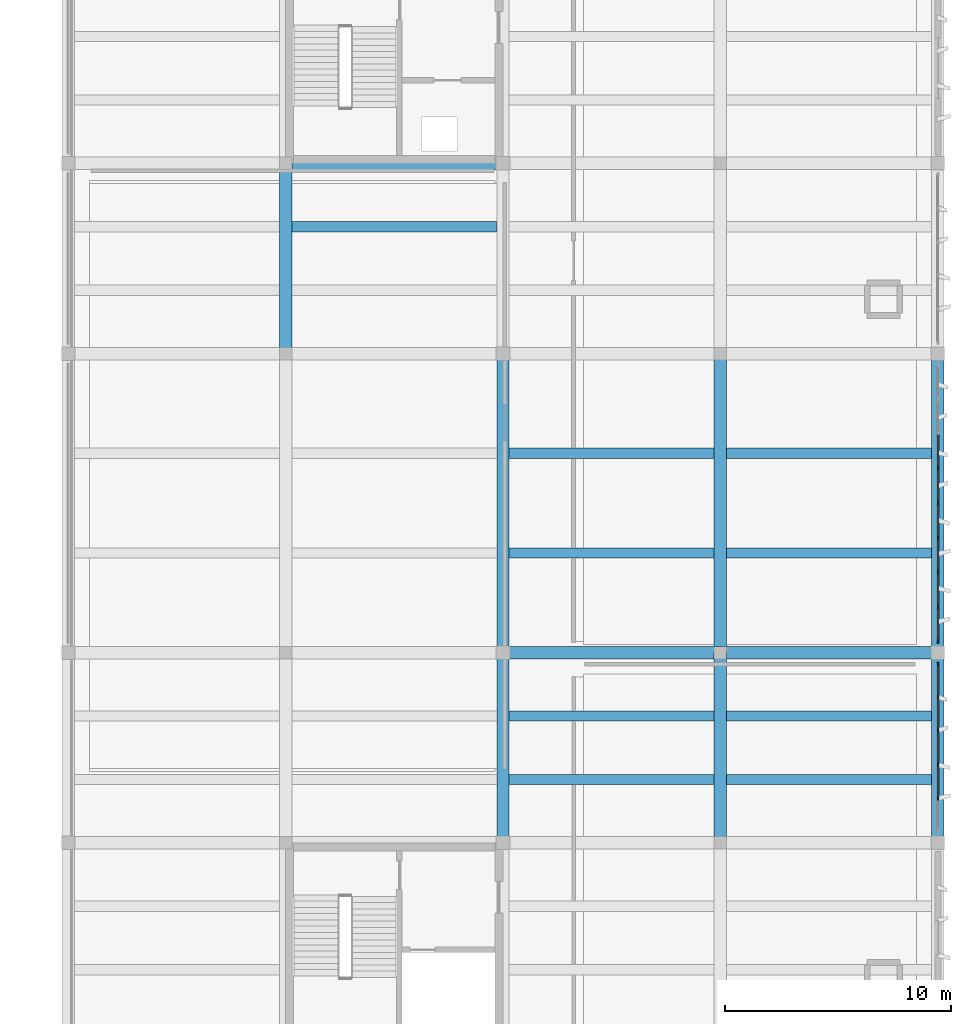
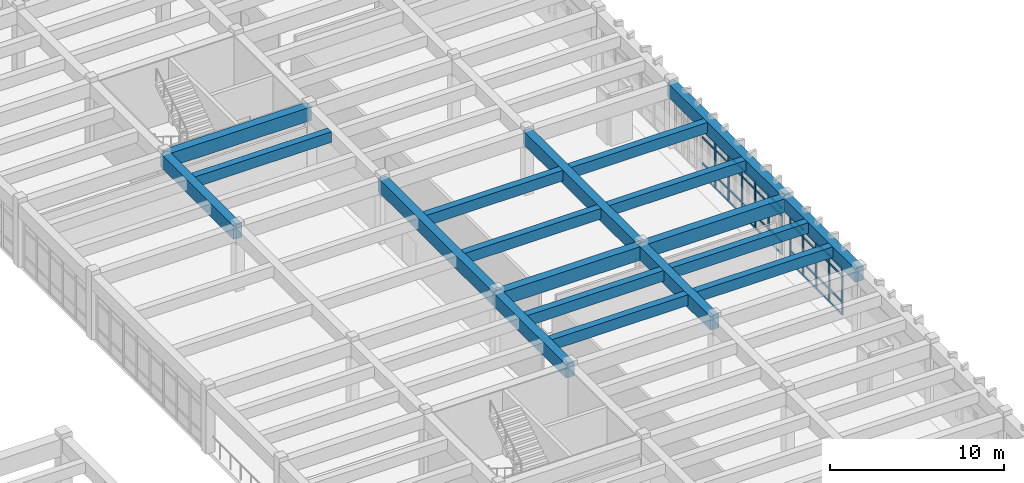
# One storey, part 37 of 86: 51 members, 19 beams, 2 elements without a shape of their own.
"""IFC4 building model written with IfcOpenShell, lengths in metres."""

from ifc_helpers import new_model, si_unit, direction, frame, origin, origin_2d, place, context, subcontext, project, spatial, rectangle, extrude, material, layer, layer_set, material_profile, profile_set, type_object, element, aggregate, save


model = new_model("IFC4")

# Units and contexts
model_context = context("Model", 3, precision=1e-05, world=origin(), true_north=direction((0.0, 1.0)))
body_context = subcontext(model_context, "Body", "Model", "MODEL_VIEW")
ifc_project = project(units=[si_unit("LENGTHUNIT", "METRE"), si_unit("AREAUNIT", "SQUARE_METRE"), si_unit("VOLUMEUNIT", "CUBIC_METRE"), si_unit("PLANEANGLEUNIT", "RADIAN"), si_unit("MASSUNIT", "GRAM", prefix="KILO")], contexts=[model_context])

# Site, building, storey
site_placement = place(None, origin())
site = spatial("IfcSite", under=ifc_project, at=site_placement, CompositionType="ELEMENT")
building_placement = place(site_placement, origin())
building = spatial("IfcBuilding", under=site, at=building_placement, Name="Kolvemor Railside Polytechnic", CompositionType="ELEMENT")
storey_placement = place(building_placement, frame((0.0, 0.0, 5.39990234375)))
storey = spatial("IfcBuildingStorey", under=building, at=storey_placement, Name="L01", CompositionType="ELEMENT", Elevation=5.39990234375)

# Beams
ifc_material_1 = material(Name="Concrete C40/50", Category="concrete")
ifc_material_profile_1 = material_profile(ifc_material_1, rectangle(XDim=0.550048828125, YDim=0.949951171875, at=origin_2d()), Name="RC550x950")
ifc_profile_set_1 = profile_set([ifc_material_profile_1], Name="Concrete C40/50")
beam_type_1 = type_object("IfcBeamType", Name="BM-RC-GIRD", PredefinedType="BEAM", material=ifc_profile_set_1)
beam_1_placement = place(storey_placement, frame((163.199951171875, 38.39990234375, 4.005126953125), z_axis=(1.0, 0.0, 0.0), x_axis=(0.0, 1.0, 0.0)))
element("IfcBeam", 1, at=beam_1_placement, inside=storey, type_object=beam_type_1, Name="Primary Girder L02-GX 0913", PredefinedType="BEAM", context=body_context, shape_type="SweptSolid", body=[
    extrude(rectangle(XDim=0.550048828125, YDim=0.949951171875, at=origin_2d()), origin(), (0.0, 0.0, 1.0), 9.60009765625),
])
for number, where, z_axis, x_axis, name in (
    (2, (172.800048828125, 38.39990234375, 4.005126953125), (1.0, 0.0, 0.0), (0.0, 1.0, 0.0), "Primary Girder L02-GX 0914"),
    (3, (153.60009765625, 60.0, 4.005126953125), (1.0, 0.0, 0.0), (0.0, 1.0, 0.0), "Primary Girder L02-GX 0920"),
):
    element("IfcBeam", number, at=place(storey_placement, frame(where, z_axis=z_axis, x_axis=x_axis)), inside=storey, type_object=beam_type_1, Name=name, PredefinedType="BEAM", context=body_context, shape_type="SweptSolid", body=[
        extrude(rectangle(XDim=0.550048828125, YDim=0.949951171875, at=origin_2d()), origin(), (0.0, 0.0, 1.0), 9.599853515625),
    ])
for number, where, z_axis, x_axis, name in (
    (4, (153.60009765625, 51.60009765625, 4.005126953125), (0.0, 1.0, 0.0), (-1.0, 0.0, 0.0), "Primary Girder L02-GY 0949"),
    (5, (163.199951171875, 30.0, 4.005126953125), (0.0, 1.0, 0.0), (-1.0, 0.0, 0.0), "Primary Girder L02-GY 0956"),
):
    element("IfcBeam", number, at=place(storey_placement, frame(where, z_axis=z_axis, x_axis=x_axis)), inside=storey, type_object=beam_type_1, Name=name, PredefinedType="BEAM", context=body_context, shape_type="SweptSolid", body=[
        extrude(rectangle(XDim=0.550048828125, YDim=0.949951171875, at=origin_2d()), origin(), (0.0, 0.0, 1.0), 8.39990234375),
    ])
beam_2_placement = place(storey_placement, frame((163.199951171875, 38.39990234375, 4.005126953125), z_axis=(0.0, 1.0, 0.0), x_axis=(-1.0, 0.0, 0.0)))
element("IfcBeam", 6, at=beam_2_placement, inside=storey, type_object=beam_type_1, Name="Primary Girder L02-GY 0957", PredefinedType="BEAM", context=body_context, shape_type="SweptSolid", body=[
    extrude(rectangle(XDim=0.550048828125, YDim=0.949951171875, at=origin_2d()), origin(), (0.0, 0.0, 1.0), 13.2001953125),
])
beam_3_placement = place(storey_placement, frame((172.800048828125, 30.0, 4.005126953125), z_axis=(0.0, 1.0, 0.0), x_axis=(-1.0, 0.0, 0.0)))
element("IfcBeam", 7, at=beam_3_placement, inside=storey, type_object=beam_type_1, Name="Primary Girder L02-GY 0965", PredefinedType="BEAM", context=body_context, shape_type="SweptSolid", body=[
    extrude(rectangle(XDim=0.550048828125, YDim=0.949951171875, at=origin_2d()), origin(), (0.0, 0.0, 1.0), 8.39990234375),
])
beam_4_placement = place(storey_placement, frame((172.800048828125, 38.39990234375, 4.005126953125), z_axis=(0.0, 1.0, 0.0), x_axis=(-1.0, 0.0, 0.0)))
element("IfcBeam", 8, at=beam_4_placement, inside=storey, type_object=beam_type_1, Name="Primary Girder L02-GY 0966", PredefinedType="BEAM", context=body_context, shape_type="SweptSolid", body=[
    extrude(rectangle(XDim=0.550048828125, YDim=0.949951171875, at=origin_2d()), origin(), (0.0, 0.0, 1.0), 13.2001953125),
])
beam_5_placement = place(storey_placement, frame((182.39990234375, 30.0, 4.005126953125), z_axis=(0.0, 1.0, 0.0), x_axis=(-1.0, 0.0, 0.0)))
element("IfcBeam", 9, at=beam_5_placement, inside=storey, type_object=beam_type_1, Name="Primary Girder L02-GY 0974", PredefinedType="BEAM", context=body_context, shape_type="SweptSolid", body=[
    extrude(rectangle(XDim=0.550048828125, YDim=0.949951171875, at=origin_2d()), origin(), (0.0, 0.0, 1.0), 8.39990234375),
])
beam_6_placement = place(storey_placement, frame((182.39990234375, 38.39990234375, 4.005126953125), z_axis=(0.0, 1.0, 0.0), x_axis=(-1.0, 0.0, 0.0)))
element("IfcBeam", 10, at=beam_6_placement, inside=storey, type_object=beam_type_1, Name="Primary Girder L02-GY 0975", PredefinedType="BEAM", context=body_context, shape_type="SweptSolid", body=[
    extrude(rectangle(XDim=0.550048828125, YDim=0.949951171875, at=origin_2d()), origin(), (0.0, 0.0, 1.0), 13.2001953125),
])
ifc_material_2 = material(Name="Concrete C40/50", Category="concrete")
ifc_material_profile_2 = material_profile(ifc_material_2, rectangle(XDim=0.449951171875, YDim=0.75, at=origin_2d()), Name="RC450x750")
ifc_profile_set_2 = profile_set([ifc_material_profile_2], Name="Concrete C40/50")
beam_type_2 = type_object("IfcBeamType", Name="BM-RC-SEC", PredefinedType="JOIST", material=ifc_profile_set_2)
beam_7_placement = place(storey_placement, frame((153.875, 57.199951171875, 4.10498046875), z_axis=(1.0, 0.0, 0.0), x_axis=(0.0, 1.0, 0.0)))
element("IfcBeam", 11, at=beam_7_placement, inside=storey, type_object=beam_type_2, Name="Floor Joist L02-J1007", PredefinedType="JOIST", context=body_context, shape_type="SweptSolid", body=[
    extrude(rectangle(XDim=0.449951171875, YDim=0.75, at=origin_2d()), origin(), (0.0, 0.0, 1.0), 9.050048828125),
])
for number, where, z_axis, x_axis, name in (
    (12, (163.47509765625, 32.800048828125, 4.10498046875), (1.0, 0.0, 0.0), (0.0, 1.0, 0.0), "Floor Joist L02-J1018"),
    (13, (163.47509765625, 35.60009765625, 4.10498046875), (1.0, 0.0, 0.0), (0.0, 1.0, 0.0), "Floor Joist L02-J1019"),
    (14, (163.47509765625, 42.800048828125, 4.10498046875), (1.0, 0.0, 0.0), (0.0, 1.0, 0.0), "Floor Joist L02-J1020"),
    (15, (163.47509765625, 47.199951171875, 4.10498046875), (1.0, 0.0, 0.0), (0.0, 1.0, 0.0), "Floor Joist L02-J1021"),
):
    element("IfcBeam", number, at=place(storey_placement, frame(where, z_axis=z_axis, x_axis=x_axis)), inside=storey, type_object=beam_type_2, Name=name, PredefinedType="JOIST", context=body_context, shape_type="SweptSolid", body=[
        extrude(rectangle(XDim=0.449951171875, YDim=0.75, at=origin_2d()), origin(), (0.0, 0.0, 1.0), 9.0498046875),
    ])
for number, where, z_axis, x_axis, name in (
    (16, (173.074951171875, 32.800048828125, 4.10498046875), (1.0, 0.0, 0.0), (0.0, 1.0, 0.0), "Floor Joist L02-J1036"),
    (17, (173.074951171875, 35.60009765625, 4.10498046875), (1.0, 0.0, 0.0), (0.0, 1.0, 0.0), "Floor Joist L02-J1037"),
    (18, (173.074951171875, 42.800048828125, 4.10498046875), (1.0, 0.0, 0.0), (0.0, 1.0, 0.0), "Floor Joist L02-J1038"),
    (19, (173.074951171875, 47.199951171875, 4.10498046875), (1.0, 0.0, 0.0), (0.0, 1.0, 0.0), "Floor Joist L02-J1039"),
):
    element("IfcBeam", number, at=place(storey_placement, frame(where, z_axis=z_axis, x_axis=x_axis)), inside=storey, type_object=beam_type_2, Name=name, PredefinedType="JOIST", context=body_context, shape_type="SweptSolid", body=[
        extrude(rectangle(XDim=0.449951171875, YDim=0.75, at=origin_2d()), origin(), (0.0, 0.0, 1.0), 9.050048828125),
    ])

# Curtain wall, members
ifc_material_3 = material(Name="Anodised marine aluminium and laminated low-E glass", Category="aluminium")
ifc_layer = layer(ifc_material_3, 0.179931640625, Name="CW-UNIT-STD")
ifc_layer_set = layer_set([ifc_layer], Name="Anodised marine aluminium and laminated low-E glass")
curtain_wall_type = type_object("IfcCurtainWallType", Name="CW-UNIT-STD", PredefinedType="USERDEFINED", material=ifc_layer_set)
curtain_wall_1_placement = place(storey_placement, origin())
curtain_wall_1 = element("IfcCurtainWall", 20, at=curtain_wall_1_placement, inside=storey, type_object=curtain_wall_type, Name="Curtain Wall L01-050", ObjectType="UNITISED CURTAIN WALL", PredefinedType="USERDEFINED")
ifc_material_4 = material(Name="Anodised marine aluminium 6063-T6", Category="aluminium")
ifc_material_profile_3 = material_profile(ifc_material_4, rectangle(XDim=0.074951171875, YDim=0.179931640625, at=origin_2d()), Name="CW-MUL-75x180")
ifc_profile_set_3 = profile_set([ifc_material_profile_3], Name="Anodised marine aluminium 6063-T6")
member_type_1 = type_object("IfcMemberType", Name="CWM-75x180", PredefinedType="MULLION", material=ifc_profile_set_3)
member_1_placement = place(storey_placement, frame((182.39990234375, 31.9619140625, 0.0), z_axis=(0.0, 0.0, 1.0), x_axis=(-1.0, 0.0, 0.0)))
member_1 = element("IfcMember", 21, at=member_1_placement, type_object=member_type_1, Name="CW-STD mullion 2", PredefinedType="MULLION", context=body_context, shape_type="SweptSolid", body=[
    extrude(rectangle(XDim=0.074951171875, YDim=0.179931640625, at=origin_2d()), origin(), (0.0, 0.0, 1.0), 3.280029296875),
])
member_2_placement = place(storey_placement, frame((182.39990234375, 33.4541015625, 0.0), z_axis=(0.0, 0.0, 1.0), x_axis=(-1.0, 0.0, 0.0)))
member_2 = element("IfcMember", 22, at=member_2_placement, type_object=member_type_1, Name="CW-STD mullion 3", PredefinedType="MULLION", context=body_context, shape_type="SweptSolid", body=[
    extrude(rectangle(XDim=0.074951171875, YDim=0.179931640625, at=origin_2d()), origin(), (0.0, 0.0, 1.0), 3.280029296875),
])
member_3_placement = place(storey_placement, frame((182.39990234375, 34.946044921875, 0.0), z_axis=(0.0, 0.0, 1.0), x_axis=(-1.0, 0.0, 0.0)))
member_3 = element("IfcMember", 23, at=member_3_placement, type_object=member_type_1, Name="CW-STD mullion 4", PredefinedType="MULLION", context=body_context, shape_type="SweptSolid", body=[
    extrude(rectangle(XDim=0.074951171875, YDim=0.179931640625, at=origin_2d()), origin(), (0.0, 0.0, 1.0), 3.280029296875),
])
member_4_placement = place(storey_placement, frame((182.39990234375, 36.43798828125, 0.0), z_axis=(0.0, 0.0, 1.0), x_axis=(-1.0, 0.0, 0.0)))
member_4 = element("IfcMember", 24, at=member_4_placement, type_object=member_type_1, Name="CW-STD mullion 5", PredefinedType="MULLION", context=body_context, shape_type="SweptSolid", body=[
    extrude(rectangle(XDim=0.074951171875, YDim=0.179931640625, at=origin_2d()), origin(), (0.0, 0.0, 1.0), 3.280029296875),
])
member_5_placement = place(storey_placement, frame((182.39990234375, 37.892578125, 0.0), z_axis=(0.0, 0.0, 1.0), x_axis=(-1.0, 0.0, 0.0)))
member_5 = element("IfcMember", 25, at=member_5_placement, type_object=member_type_1, Name="CW-STD mullion 6", PredefinedType="MULLION", context=body_context, shape_type="SweptSolid", body=[
    extrude(rectangle(XDim=0.074951171875, YDim=0.179931640625, at=origin_2d()), origin(), (0.0, 0.0, 1.0), 3.280029296875),
])

curtain_wall_2_placement = place(storey_placement, origin())
curtain_wall_2 = element("IfcCurtainWall", 26, at=curtain_wall_2_placement, inside=storey, type_object=curtain_wall_type, Name="Curtain Wall L01-061", ObjectType="UNITISED CURTAIN WALL", PredefinedType="USERDEFINED")
member_6_placement = place(storey_placement, frame((182.39990234375, 38.907470703125, 0.0), z_axis=(0.0, 0.0, 1.0), x_axis=(-1.0, 0.0, 0.0)))
member_6 = element("IfcMember", 27, at=member_6_placement, type_object=member_type_1, Name="CW-STD mullion 1", PredefinedType="MULLION", context=body_context, shape_type="SweptSolid", body=[
    extrude(rectangle(XDim=0.074951171875, YDim=0.179931640625, at=origin_2d()), origin(), (0.0, 0.0, 1.0), 3.280029296875),
])
member_7_placement = place(storey_placement, frame((182.39990234375, 40.402587890625, 0.0), z_axis=(0.0, 0.0, 1.0), x_axis=(-1.0, 0.0, 0.0)))
member_7 = element("IfcMember", 28, at=member_7_placement, type_object=member_type_1, Name="CW-STD mullion 2", PredefinedType="MULLION", context=body_context, shape_type="SweptSolid", body=[
    extrude(rectangle(XDim=0.074951171875, YDim=0.179931640625, at=origin_2d()), origin(), (0.0, 0.0, 1.0), 3.280029296875),
])
member_8_placement = place(storey_placement, frame((182.39990234375, 41.93505859375, 0.0), z_axis=(0.0, 0.0, 1.0), x_axis=(-1.0, 0.0, 0.0)))
member_8 = element("IfcMember", 29, at=member_8_placement, type_object=member_type_1, Name="CW-STD mullion 3", PredefinedType="MULLION", context=body_context, shape_type="SweptSolid", body=[
    extrude(rectangle(XDim=0.074951171875, YDim=0.179931640625, at=origin_2d()), origin(), (0.0, 0.0, 1.0), 3.280029296875),
])
member_9_placement = place(storey_placement, frame((182.39990234375, 43.467529296875, 0.0), z_axis=(0.0, 0.0, 1.0), x_axis=(-1.0, 0.0, 0.0)))
member_9 = element("IfcMember", 30, at=member_9_placement, type_object=member_type_1, Name="CW-STD mullion 4", PredefinedType="MULLION", context=body_context, shape_type="SweptSolid", body=[
    extrude(rectangle(XDim=0.074951171875, YDim=0.179931640625, at=origin_2d()), origin(), (0.0, 0.0, 1.0), 3.280029296875),
])
member_10_placement = place(storey_placement, frame((182.39990234375, 45.0, 0.0), z_axis=(0.0, 0.0, 1.0), x_axis=(-1.0, 0.0, 0.0)))
member_10 = element("IfcMember", 31, at=member_10_placement, type_object=member_type_1, Name="CW-STD mullion 5", PredefinedType="MULLION", context=body_context, shape_type="SweptSolid", body=[
    extrude(rectangle(XDim=0.074951171875, YDim=0.179931640625, at=origin_2d()), origin(), (0.0, 0.0, 1.0), 3.280029296875),
])
member_11_placement = place(storey_placement, frame((182.39990234375, 46.532470703125, 0.0), z_axis=(0.0, 0.0, 1.0), x_axis=(-1.0, 0.0, 0.0)))
member_11 = element("IfcMember", 32, at=member_11_placement, type_object=member_type_1, Name="CW-STD mullion 6", PredefinedType="MULLION", context=body_context, shape_type="SweptSolid", body=[
    extrude(rectangle(XDim=0.074951171875, YDim=0.179931640625, at=origin_2d()), origin(), (0.0, 0.0, 1.0), 3.280029296875),
])

# Member
ifc_material_5 = material(Name="Anodised marine aluminium 6063-T6", Category="aluminium")
ifc_material_profile_4 = material_profile(ifc_material_5, rectangle(XDim=0.074951171875, YDim=0.139892578125, at=origin_2d()), Name="CW-TRN-75x140")
ifc_profile_set_4 = profile_set([ifc_material_profile_4], Name="Anodised marine aluminium 6063-T6")
member_type_2 = type_object("IfcMemberType", Name="CWT-75x140", PredefinedType="USERDEFINED", material=ifc_profile_set_4)
member_12_placement = place(storey_placement, frame((182.39990234375, 31.99951171875, 0.03759765625), z_axis=(0.0, 1.0, 0.0), x_axis=(-1.0, 0.0, 0.0)))
member_12 = element("IfcMember", 33, at=member_12_placement, type_object=member_type_2, Name="CW-STD transom 2.1", ObjectType="TRANSOM", PredefinedType="USERDEFINED", context=body_context, shape_type="SweptSolid", body=[
    extrude(rectangle(XDim=0.074951171875, YDim=0.139892578125, at=origin_2d()), origin(), (0.0, 0.0, 1.0), 1.4169921875),
])

member_13_placement = place(storey_placement, frame((182.39990234375, 31.99951171875, 0.900146484375), z_axis=(0.0, 1.0, 0.0), x_axis=(-1.0, 0.0, 0.0)))
member_13 = element("IfcMember", 34, at=member_13_placement, type_object=member_type_2, Name="CW-STD transom 2.2", ObjectType="TRANSOM", PredefinedType="USERDEFINED", context=body_context, shape_type="SweptSolid", body=[
    extrude(rectangle(XDim=0.074951171875, YDim=0.139892578125, at=origin_2d()), origin(), (0.0, 0.0, 1.0), 1.4169921875),
])

member_14_placement = place(storey_placement, frame((182.39990234375, 31.99951171875, 2.72998046875), z_axis=(0.0, 1.0, 0.0), x_axis=(-1.0, 0.0, 0.0)))
member_14 = element("IfcMember", 35, at=member_14_placement, type_object=member_type_2, Name="CW-STD transom 2.3", ObjectType="TRANSOM", PredefinedType="USERDEFINED", context=body_context, shape_type="SweptSolid", body=[
    extrude(rectangle(XDim=0.074951171875, YDim=0.139892578125, at=origin_2d()), origin(), (0.0, 0.0, 1.0), 1.4169921875),
])

member_15_placement = place(storey_placement, frame((182.39990234375, 31.99951171875, 3.24267578125), z_axis=(0.0, 1.0, 0.0), x_axis=(-1.0, 0.0, 0.0)))
member_15 = element("IfcMember", 36, at=member_15_placement, type_object=member_type_2, Name="CW-STD transom 2.4", ObjectType="TRANSOM", PredefinedType="USERDEFINED", context=body_context, shape_type="SweptSolid", body=[
    extrude(rectangle(XDim=0.074951171875, YDim=0.139892578125, at=origin_2d()), origin(), (0.0, 0.0, 1.0), 1.4169921875),
])

member_16_placement = place(storey_placement, frame((182.39990234375, 33.491455078125, 0.03759765625), z_axis=(0.0, 1.0, 0.0), x_axis=(-1.0, 0.0, 0.0)))
member_16 = element("IfcMember", 37, at=member_16_placement, type_object=member_type_2, Name="CW-STD transom 3.1", ObjectType="TRANSOM", PredefinedType="USERDEFINED", context=body_context, shape_type="SweptSolid", body=[
    extrude(rectangle(XDim=0.074951171875, YDim=0.139892578125, at=origin_2d()), origin(), (0.0, 0.0, 1.0), 1.4169921875),
])

member_17_placement = place(storey_placement, frame((182.39990234375, 33.491455078125, 0.900146484375), z_axis=(0.0, 1.0, 0.0), x_axis=(-1.0, 0.0, 0.0)))
member_17 = element("IfcMember", 38, at=member_17_placement, type_object=member_type_2, Name="CW-STD transom 3.2", ObjectType="TRANSOM", PredefinedType="USERDEFINED", context=body_context, shape_type="SweptSolid", body=[
    extrude(rectangle(XDim=0.074951171875, YDim=0.139892578125, at=origin_2d()), origin(), (0.0, 0.0, 1.0), 1.4169921875),
])

member_18_placement = place(storey_placement, frame((182.39990234375, 33.491455078125, 2.72998046875), z_axis=(0.0, 1.0, 0.0), x_axis=(-1.0, 0.0, 0.0)))
member_18 = element("IfcMember", 39, at=member_18_placement, type_object=member_type_2, Name="CW-STD transom 3.3", ObjectType="TRANSOM", PredefinedType="USERDEFINED", context=body_context, shape_type="SweptSolid", body=[
    extrude(rectangle(XDim=0.074951171875, YDim=0.139892578125, at=origin_2d()), origin(), (0.0, 0.0, 1.0), 1.4169921875),
])

member_19_placement = place(storey_placement, frame((182.39990234375, 33.491455078125, 3.24267578125), z_axis=(0.0, 1.0, 0.0), x_axis=(-1.0, 0.0, 0.0)))
member_19 = element("IfcMember", 40, at=member_19_placement, type_object=member_type_2, Name="CW-STD transom 3.4", ObjectType="TRANSOM", PredefinedType="USERDEFINED", context=body_context, shape_type="SweptSolid", body=[
    extrude(rectangle(XDim=0.074951171875, YDim=0.139892578125, at=origin_2d()), origin(), (0.0, 0.0, 1.0), 1.4169921875),
])

member_20_placement = place(storey_placement, frame((182.39990234375, 34.9833984375, 0.03759765625), z_axis=(0.0, 1.0, 0.0), x_axis=(-1.0, 0.0, 0.0)))
member_20 = element("IfcMember", 41, at=member_20_placement, type_object=member_type_2, Name="CW-STD transom 4.1", ObjectType="TRANSOM", PredefinedType="USERDEFINED", context=body_context, shape_type="SweptSolid", body=[
    extrude(rectangle(XDim=0.074951171875, YDim=0.139892578125, at=origin_2d()), origin(), (0.0, 0.0, 1.0), 1.4169921875),
])

member_21_placement = place(storey_placement, frame((182.39990234375, 34.9833984375, 0.900146484375), z_axis=(0.0, 1.0, 0.0), x_axis=(-1.0, 0.0, 0.0)))
member_21 = element("IfcMember", 42, at=member_21_placement, type_object=member_type_2, Name="CW-STD transom 4.2", ObjectType="TRANSOM", PredefinedType="USERDEFINED", context=body_context, shape_type="SweptSolid", body=[
    extrude(rectangle(XDim=0.074951171875, YDim=0.139892578125, at=origin_2d()), origin(), (0.0, 0.0, 1.0), 1.4169921875),
])

member_22_placement = place(storey_placement, frame((182.39990234375, 34.9833984375, 2.72998046875), z_axis=(0.0, 1.0, 0.0), x_axis=(-1.0, 0.0, 0.0)))
member_22 = element("IfcMember", 43, at=member_22_placement, type_object=member_type_2, Name="CW-STD transom 4.3", ObjectType="TRANSOM", PredefinedType="USERDEFINED", context=body_context, shape_type="SweptSolid", body=[
    extrude(rectangle(XDim=0.074951171875, YDim=0.139892578125, at=origin_2d()), origin(), (0.0, 0.0, 1.0), 1.4169921875),
])

member_23_placement = place(storey_placement, frame((182.39990234375, 34.9833984375, 3.24267578125), z_axis=(0.0, 1.0, 0.0), x_axis=(-1.0, 0.0, 0.0)))
member_23 = element("IfcMember", 44, at=member_23_placement, type_object=member_type_2, Name="CW-STD transom 4.4", ObjectType="TRANSOM", PredefinedType="USERDEFINED", context=body_context, shape_type="SweptSolid", body=[
    extrude(rectangle(XDim=0.074951171875, YDim=0.139892578125, at=origin_2d()), origin(), (0.0, 0.0, 1.0), 1.4169921875),
])

member_24_placement = place(storey_placement, frame((182.39990234375, 36.4755859375, 0.03759765625), z_axis=(0.0, 1.0, 0.0), x_axis=(-1.0, 0.0, 0.0)))
member_24 = element("IfcMember", 45, at=member_24_placement, type_object=member_type_2, Name="CW-STD transom 5.1", ObjectType="TRANSOM", PredefinedType="USERDEFINED", context=body_context, shape_type="SweptSolid", body=[
    extrude(rectangle(XDim=0.074951171875, YDim=0.139892578125, at=origin_2d()), origin(), (0.0, 0.0, 1.0), 1.37939453125),
])

member_25_placement = place(storey_placement, frame((182.39990234375, 36.4755859375, 0.900146484375), z_axis=(0.0, 1.0, 0.0), x_axis=(-1.0, 0.0, 0.0)))
member_25 = element("IfcMember", 46, at=member_25_placement, type_object=member_type_2, Name="CW-STD transom 5.2", ObjectType="TRANSOM", PredefinedType="USERDEFINED", context=body_context, shape_type="SweptSolid", body=[
    extrude(rectangle(XDim=0.074951171875, YDim=0.139892578125, at=origin_2d()), origin(), (0.0, 0.0, 1.0), 1.37939453125),
])

member_26_placement = place(storey_placement, frame((182.39990234375, 36.4755859375, 2.72998046875), z_axis=(0.0, 1.0, 0.0), x_axis=(-1.0, 0.0, 0.0)))
member_26 = element("IfcMember", 47, at=member_26_placement, type_object=member_type_2, Name="CW-STD transom 5.3", ObjectType="TRANSOM", PredefinedType="USERDEFINED", context=body_context, shape_type="SweptSolid", body=[
    extrude(rectangle(XDim=0.074951171875, YDim=0.139892578125, at=origin_2d()), origin(), (0.0, 0.0, 1.0), 1.37939453125),
])

member_27_placement = place(storey_placement, frame((182.39990234375, 36.4755859375, 3.24267578125), z_axis=(0.0, 1.0, 0.0), x_axis=(-1.0, 0.0, 0.0)))
member_27 = element("IfcMember", 48, at=member_27_placement, type_object=member_type_2, Name="CW-STD transom 5.4", ObjectType="TRANSOM", PredefinedType="USERDEFINED", context=body_context, shape_type="SweptSolid", body=[
    extrude(rectangle(XDim=0.074951171875, YDim=0.139892578125, at=origin_2d()), origin(), (0.0, 0.0, 1.0), 1.37939453125),
])

aggregate(curtain_wall_1, [member_1, member_2, member_3, member_4, member_5, member_12, member_13, member_14, member_15, member_16, member_17, member_18, member_19, member_20, member_21, member_22, member_23, member_24, member_25, member_26, member_27])

member_28_placement = place(storey_placement, frame((182.39990234375, 38.945068359375, 0.03759765625), z_axis=(0.0, 1.0, 0.0), x_axis=(-1.0, 0.0, 0.0)))
member_28 = element("IfcMember", 49, at=member_28_placement, type_object=member_type_2, Name="CW-STD transom 1.1", ObjectType="TRANSOM", PredefinedType="USERDEFINED", context=body_context, shape_type="SweptSolid", body=[
    extrude(rectangle(XDim=0.074951171875, YDim=0.139892578125, at=origin_2d()), origin(), (0.0, 0.0, 1.0), 1.419921875),
])

member_29_placement = place(storey_placement, frame((182.39990234375, 38.945068359375, 0.900146484375), z_axis=(0.0, 1.0, 0.0), x_axis=(-1.0, 0.0, 0.0)))
member_29 = element("IfcMember", 50, at=member_29_placement, type_object=member_type_2, Name="CW-STD transom 1.2", ObjectType="TRANSOM", PredefinedType="USERDEFINED", context=body_context, shape_type="SweptSolid", body=[
    extrude(rectangle(XDim=0.074951171875, YDim=0.139892578125, at=origin_2d()), origin(), (0.0, 0.0, 1.0), 1.419921875),
])

member_30_placement = place(storey_placement, frame((182.39990234375, 38.945068359375, 2.72998046875), z_axis=(0.0, 1.0, 0.0), x_axis=(-1.0, 0.0, 0.0)))
member_30 = element("IfcMember", 51, at=member_30_placement, type_object=member_type_2, Name="CW-STD transom 1.3", ObjectType="TRANSOM", PredefinedType="USERDEFINED", context=body_context, shape_type="SweptSolid", body=[
    extrude(rectangle(XDim=0.074951171875, YDim=0.139892578125, at=origin_2d()), origin(), (0.0, 0.0, 1.0), 1.419921875),
])

member_31_placement = place(storey_placement, frame((182.39990234375, 38.945068359375, 3.24267578125), z_axis=(0.0, 1.0, 0.0), x_axis=(-1.0, 0.0, 0.0)))
member_31 = element("IfcMember", 52, at=member_31_placement, type_object=member_type_2, Name="CW-STD transom 1.4", ObjectType="TRANSOM", PredefinedType="USERDEFINED", context=body_context, shape_type="SweptSolid", body=[
    extrude(rectangle(XDim=0.074951171875, YDim=0.139892578125, at=origin_2d()), origin(), (0.0, 0.0, 1.0), 1.419921875),
])

member_32_placement = place(storey_placement, frame((182.39990234375, 40.43994140625, 0.03759765625), z_axis=(0.0, 1.0, 0.0), x_axis=(-1.0, 0.0, 0.0)))
member_32 = element("IfcMember", 53, at=member_32_placement, type_object=member_type_2, Name="CW-STD transom 2.1", ObjectType="TRANSOM", PredefinedType="USERDEFINED", context=body_context, shape_type="SweptSolid", body=[
    extrude(rectangle(XDim=0.074951171875, YDim=0.139892578125, at=origin_2d()), origin(), (0.0, 0.0, 1.0), 1.45751953125),
])

member_33_placement = place(storey_placement, frame((182.39990234375, 40.43994140625, 0.900146484375), z_axis=(0.0, 1.0, 0.0), x_axis=(-1.0, 0.0, 0.0)))
member_33 = element("IfcMember", 54, at=member_33_placement, type_object=member_type_2, Name="CW-STD transom 2.2", ObjectType="TRANSOM", PredefinedType="USERDEFINED", context=body_context, shape_type="SweptSolid", body=[
    extrude(rectangle(XDim=0.074951171875, YDim=0.139892578125, at=origin_2d()), origin(), (0.0, 0.0, 1.0), 1.45751953125),
])

member_34_placement = place(storey_placement, frame((182.39990234375, 40.43994140625, 2.72998046875), z_axis=(0.0, 1.0, 0.0), x_axis=(-1.0, 0.0, 0.0)))
member_34 = element("IfcMember", 55, at=member_34_placement, type_object=member_type_2, Name="CW-STD transom 2.3", ObjectType="TRANSOM", PredefinedType="USERDEFINED", context=body_context, shape_type="SweptSolid", body=[
    extrude(rectangle(XDim=0.074951171875, YDim=0.139892578125, at=origin_2d()), origin(), (0.0, 0.0, 1.0), 1.45751953125),
])

member_35_placement = place(storey_placement, frame((182.39990234375, 40.43994140625, 3.24267578125), z_axis=(0.0, 1.0, 0.0), x_axis=(-1.0, 0.0, 0.0)))
member_35 = element("IfcMember", 56, at=member_35_placement, type_object=member_type_2, Name="CW-STD transom 2.4", ObjectType="TRANSOM", PredefinedType="USERDEFINED", context=body_context, shape_type="SweptSolid", body=[
    extrude(rectangle(XDim=0.074951171875, YDim=0.139892578125, at=origin_2d()), origin(), (0.0, 0.0, 1.0), 1.45751953125),
])

member_36_placement = place(storey_placement, frame((182.39990234375, 41.972412109375, 0.03759765625), z_axis=(0.0, 1.0, 0.0), x_axis=(-1.0, 0.0, 0.0)))
member_36 = element("IfcMember", 57, at=member_36_placement, type_object=member_type_2, Name="CW-STD transom 3.1", ObjectType="TRANSOM", PredefinedType="USERDEFINED", context=body_context, shape_type="SweptSolid", body=[
    extrude(rectangle(XDim=0.074951171875, YDim=0.139892578125, at=origin_2d()), origin(), (0.0, 0.0, 1.0), 1.45751953125),
])

member_37_placement = place(storey_placement, frame((182.39990234375, 41.972412109375, 0.900146484375), z_axis=(0.0, 1.0, 0.0), x_axis=(-1.0, 0.0, 0.0)))
member_37 = element("IfcMember", 58, at=member_37_placement, type_object=member_type_2, Name="CW-STD transom 3.2", ObjectType="TRANSOM", PredefinedType="USERDEFINED", context=body_context, shape_type="SweptSolid", body=[
    extrude(rectangle(XDim=0.074951171875, YDim=0.139892578125, at=origin_2d()), origin(), (0.0, 0.0, 1.0), 1.45751953125),
])

member_38_placement = place(storey_placement, frame((182.39990234375, 41.972412109375, 2.72998046875), z_axis=(0.0, 1.0, 0.0), x_axis=(-1.0, 0.0, 0.0)))
member_38 = element("IfcMember", 59, at=member_38_placement, type_object=member_type_2, Name="CW-STD transom 3.3", ObjectType="TRANSOM", PredefinedType="USERDEFINED", context=body_context, shape_type="SweptSolid", body=[
    extrude(rectangle(XDim=0.074951171875, YDim=0.139892578125, at=origin_2d()), origin(), (0.0, 0.0, 1.0), 1.45751953125),
])

member_39_placement = place(storey_placement, frame((182.39990234375, 41.972412109375, 3.24267578125), z_axis=(0.0, 1.0, 0.0), x_axis=(-1.0, 0.0, 0.0)))
member_39 = element("IfcMember", 60, at=member_39_placement, type_object=member_type_2, Name="CW-STD transom 3.4", ObjectType="TRANSOM", PredefinedType="USERDEFINED", context=body_context, shape_type="SweptSolid", body=[
    extrude(rectangle(XDim=0.074951171875, YDim=0.139892578125, at=origin_2d()), origin(), (0.0, 0.0, 1.0), 1.45751953125),
])

member_40_placement = place(storey_placement, frame((182.39990234375, 43.5048828125, 0.03759765625), z_axis=(0.0, 1.0, 0.0), x_axis=(-1.0, 0.0, 0.0)))
member_40 = element("IfcMember", 61, at=member_40_placement, type_object=member_type_2, Name="CW-STD transom 4.1", ObjectType="TRANSOM", PredefinedType="USERDEFINED", context=body_context, shape_type="SweptSolid", body=[
    extrude(rectangle(XDim=0.074951171875, YDim=0.139892578125, at=origin_2d()), origin(), (0.0, 0.0, 1.0), 1.45751953125),
])

member_41_placement = place(storey_placement, frame((182.39990234375, 43.5048828125, 0.900146484375), z_axis=(0.0, 1.0, 0.0), x_axis=(-1.0, 0.0, 0.0)))
member_41 = element("IfcMember", 62, at=member_41_placement, type_object=member_type_2, Name="CW-STD transom 4.2", ObjectType="TRANSOM", PredefinedType="USERDEFINED", context=body_context, shape_type="SweptSolid", body=[
    extrude(rectangle(XDim=0.074951171875, YDim=0.139892578125, at=origin_2d()), origin(), (0.0, 0.0, 1.0), 1.45751953125),
])

member_42_placement = place(storey_placement, frame((182.39990234375, 43.5048828125, 2.72998046875), z_axis=(0.0, 1.0, 0.0), x_axis=(-1.0, 0.0, 0.0)))
member_42 = element("IfcMember", 63, at=member_42_placement, type_object=member_type_2, Name="CW-STD transom 4.3", ObjectType="TRANSOM", PredefinedType="USERDEFINED", context=body_context, shape_type="SweptSolid", body=[
    extrude(rectangle(XDim=0.074951171875, YDim=0.139892578125, at=origin_2d()), origin(), (0.0, 0.0, 1.0), 1.45751953125),
])

member_43_placement = place(storey_placement, frame((182.39990234375, 43.5048828125, 3.24267578125), z_axis=(0.0, 1.0, 0.0), x_axis=(-1.0, 0.0, 0.0)))
member_43 = element("IfcMember", 64, at=member_43_placement, type_object=member_type_2, Name="CW-STD transom 4.4", ObjectType="TRANSOM", PredefinedType="USERDEFINED", context=body_context, shape_type="SweptSolid", body=[
    extrude(rectangle(XDim=0.074951171875, YDim=0.139892578125, at=origin_2d()), origin(), (0.0, 0.0, 1.0), 1.45751953125),
])

member_44_placement = place(storey_placement, frame((182.39990234375, 45.03759765625, 0.03759765625), z_axis=(0.0, 1.0, 0.0), x_axis=(-1.0, 0.0, 0.0)))
member_44 = element("IfcMember", 65, at=member_44_placement, type_object=member_type_2, Name="CW-STD transom 5.1", ObjectType="TRANSOM", PredefinedType="USERDEFINED", context=body_context, shape_type="SweptSolid", body=[
    extrude(rectangle(XDim=0.074951171875, YDim=0.139892578125, at=origin_2d()), origin(), (0.0, 0.0, 1.0), 1.45751953125),
])

member_45_placement = place(storey_placement, frame((182.39990234375, 45.03759765625, 0.900146484375), z_axis=(0.0, 1.0, 0.0), x_axis=(-1.0, 0.0, 0.0)))
member_45 = element("IfcMember", 66, at=member_45_placement, type_object=member_type_2, Name="CW-STD transom 5.2", ObjectType="TRANSOM", PredefinedType="USERDEFINED", context=body_context, shape_type="SweptSolid", body=[
    extrude(rectangle(XDim=0.074951171875, YDim=0.139892578125, at=origin_2d()), origin(), (0.0, 0.0, 1.0), 1.45751953125),
])

member_46_placement = place(storey_placement, frame((182.39990234375, 45.03759765625, 2.72998046875), z_axis=(0.0, 1.0, 0.0), x_axis=(-1.0, 0.0, 0.0)))
member_46 = element("IfcMember", 67, at=member_46_placement, type_object=member_type_2, Name="CW-STD transom 5.3", ObjectType="TRANSOM", PredefinedType="USERDEFINED", context=body_context, shape_type="SweptSolid", body=[
    extrude(rectangle(XDim=0.074951171875, YDim=0.139892578125, at=origin_2d()), origin(), (0.0, 0.0, 1.0), 1.45751953125),
])

member_47_placement = place(storey_placement, frame((182.39990234375, 45.03759765625, 3.24267578125), z_axis=(0.0, 1.0, 0.0), x_axis=(-1.0, 0.0, 0.0)))
member_47 = element("IfcMember", 68, at=member_47_placement, type_object=member_type_2, Name="CW-STD transom 5.4", ObjectType="TRANSOM", PredefinedType="USERDEFINED", context=body_context, shape_type="SweptSolid", body=[
    extrude(rectangle(XDim=0.074951171875, YDim=0.139892578125, at=origin_2d()), origin(), (0.0, 0.0, 1.0), 1.45751953125),
])

member_48_placement = place(storey_placement, frame((182.39990234375, 46.570068359375, 0.03759765625), z_axis=(0.0, 1.0, 0.0), x_axis=(-1.0, 0.0, 0.0)))
member_48 = element("IfcMember", 69, at=member_48_placement, type_object=member_type_2, Name="CW-STD transom 6.1", ObjectType="TRANSOM", PredefinedType="USERDEFINED", context=body_context, shape_type="SweptSolid", body=[
    extrude(rectangle(XDim=0.074951171875, YDim=0.139892578125, at=origin_2d()), origin(), (0.0, 0.0, 1.0), 1.45751953125),
])

member_49_placement = place(storey_placement, frame((182.39990234375, 46.570068359375, 0.900146484375), z_axis=(0.0, 1.0, 0.0), x_axis=(-1.0, 0.0, 0.0)))
member_49 = element("IfcMember", 70, at=member_49_placement, type_object=member_type_2, Name="CW-STD transom 6.2", ObjectType="TRANSOM", PredefinedType="USERDEFINED", context=body_context, shape_type="SweptSolid", body=[
    extrude(rectangle(XDim=0.074951171875, YDim=0.139892578125, at=origin_2d()), origin(), (0.0, 0.0, 1.0), 1.45751953125),
])

member_50_placement = place(storey_placement, frame((182.39990234375, 46.570068359375, 2.72998046875), z_axis=(0.0, 1.0, 0.0), x_axis=(-1.0, 0.0, 0.0)))
member_50 = element("IfcMember", 71, at=member_50_placement, type_object=member_type_2, Name="CW-STD transom 6.3", ObjectType="TRANSOM", PredefinedType="USERDEFINED", context=body_context, shape_type="SweptSolid", body=[
    extrude(rectangle(XDim=0.074951171875, YDim=0.139892578125, at=origin_2d()), origin(), (0.0, 0.0, 1.0), 1.45751953125),
])

member_51_placement = place(storey_placement, frame((182.39990234375, 46.570068359375, 3.24267578125), z_axis=(0.0, 1.0, 0.0), x_axis=(-1.0, 0.0, 0.0)))
member_51 = element("IfcMember", 72, at=member_51_placement, type_object=member_type_2, Name="CW-STD transom 6.4", ObjectType="TRANSOM", PredefinedType="USERDEFINED", context=body_context, shape_type="SweptSolid", body=[
    extrude(rectangle(XDim=0.074951171875, YDim=0.139892578125, at=origin_2d()), origin(), (0.0, 0.0, 1.0), 1.45751953125),
])

aggregate(curtain_wall_2, [member_6, member_7, member_8, member_9, member_10, member_11, member_28, member_29, member_30, member_31, member_32, member_33, member_34, member_35, member_36, member_37, member_38, member_39, member_40, member_41, member_42, member_43, member_44, member_45, member_46, member_47, member_48, member_49, member_50, member_51])

save(model, "model.ifc")
